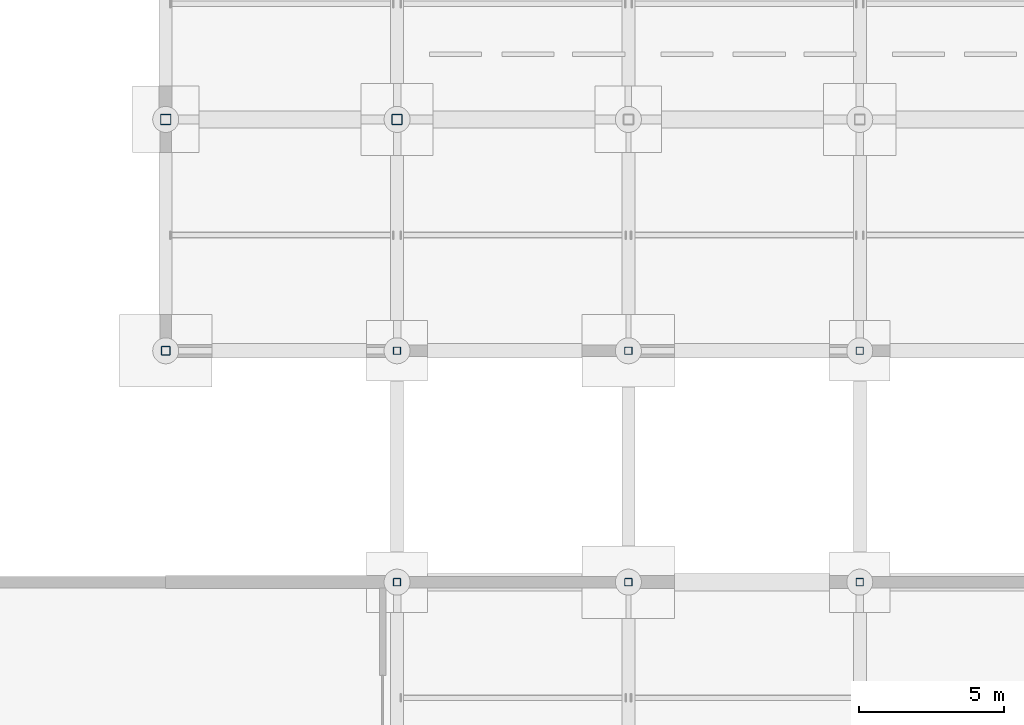
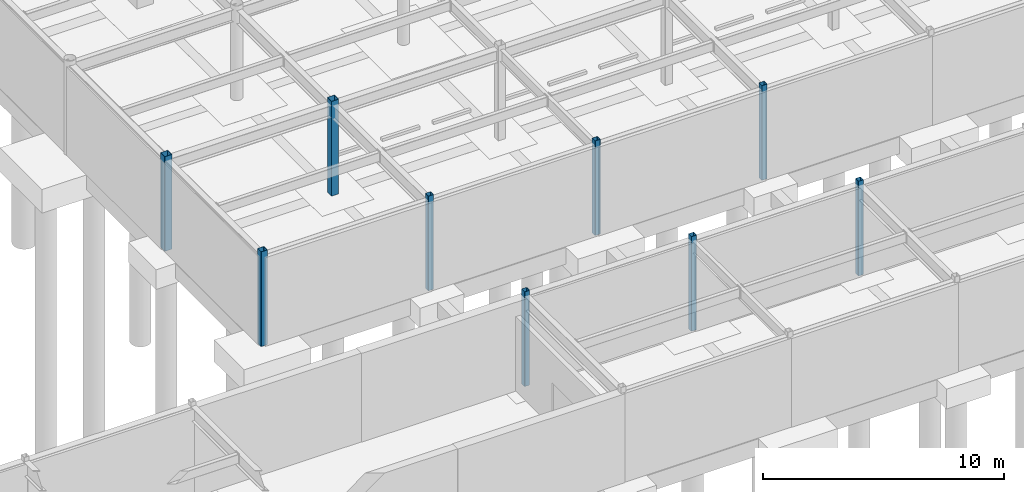
# One storey, part 26 of 105: 9 columns.
"""IFC4 building model written with IfcOpenShell, lengths in metres."""

from ifc_helpers import new_model, si_unit, direction, frame, origin, origin_2d, place, context, subcontext, project, spatial, hollow_rectangle, extrude, material, material_profile, profile_set, type_object, element, save


model = new_model("IFC4")

# Units and contexts
model_context = context("Model", 3, precision=1e-05, world=origin(), true_north=direction((0.0, 1.0)))
body_context = subcontext(model_context, "Body", "Model", "MODEL_VIEW")
ifc_project = project(units=[si_unit("LENGTHUNIT", "METRE"), si_unit("AREAUNIT", "SQUARE_METRE"), si_unit("VOLUMEUNIT", "CUBIC_METRE"), si_unit("PLANEANGLEUNIT", "RADIAN"), si_unit("MASSUNIT", "GRAM", prefix="KILO")], contexts=[model_context])

# Site, building, storey
site_placement = place(None, origin())
site = spatial("IfcSite", under=ifc_project, at=site_placement, CompositionType="ELEMENT")
building_placement = place(site_placement, origin())
building = spatial("IfcBuilding", under=site, at=building_placement, Name="Solmirada Galleria", CompositionType="ELEMENT")
storey_placement = place(building_placement, frame((0.0, 0.0, -4.800048828125)))
storey = spatial("IfcBuildingStorey", under=building, at=storey_placement, Name="B1", CompositionType="ELEMENT", Elevation=-4.800048828125)

# Columns
ifc_material = material(Name="Steel S355 / ASTM A500 Grade C", Category="steel")
ifc_material_profile_1 = material_profile(ifc_material, hollow_rectangle(XDim=0.25390625, YDim=0.25390625, WallThickness=0.0087890625, InnerFilletRadius=0.0087890625, OuterFilletRadius=0.017822265625, at=origin_2d()), Name="HSS10X10X3/8")
ifc_profile_set_1 = profile_set([ifc_material_profile_1], Name="Steel S355 / ASTM A500 Grade C")
column_type_1 = type_object("IfcColumnType", Name="COL-HSS10", PredefinedType="COLUMN", material=ifc_profile_set_1)
for number, where, z_axis, x_axis, name in (
    (1, (48.0, 64.0, 0.0), (0.0, 0.0, 1.0), (1.0, 0.0, 0.0), "Structural column B1-0104"),
    (2, (48.0, 72.0, 0.0), (0.0, 0.0, 1.0), (1.0, 0.0, 0.0), "Structural column B1-0106"),
    (3, (56.0, 64.0, 0.0), (0.0, 0.0, 1.0), (1.0, 0.0, 0.0), "Structural column B1-0171"),
    (4, (56.0, 72.0, 0.0), (0.0, 0.0, 1.0), (1.0, 0.0, 0.0), "Structural column B1-0173"),
    (5, (64.0, 64.0, 0.0), (0.0, 0.0, 1.0), (1.0, 0.0, 0.0), "Structural column B1-0235"),
    (6, (64.0, 72.0, 0.0), (0.0, 0.0, 1.0), (1.0, 0.0, 0.0), "Structural column B1-0237"),
):
    element("IfcColumn", number, at=place(storey_placement, frame(where, z_axis=z_axis, x_axis=x_axis)), inside=storey, type_object=column_type_1, Name=name, PredefinedType="COLUMN", context=body_context, shape_type="SweptSolid", body=[
        extrude(hollow_rectangle(XDim=0.25390625, YDim=0.25390625, WallThickness=0.0087890625, InnerFilletRadius=0.0087890625, OuterFilletRadius=0.017822265625, at=origin_2d()), origin(), (0.0, 0.0, 1.0), 4.800048828125),
    ])
ifc_material_profile_2 = material_profile(ifc_material, hollow_rectangle(XDim=0.304931640625, YDim=0.304931640625, WallThickness=0.01171875, InnerFilletRadius=0.01171875, OuterFilletRadius=0.023681640625, at=origin_2d()), Name="HSS12X12X1/2")
ifc_profile_set_2 = profile_set([ifc_material_profile_2], Name="Steel S355 / ASTM A500 Grade C")
column_type_2 = type_object("IfcColumnType", Name="COL-HSS12", PredefinedType="COLUMN", material=ifc_profile_set_2)
column_placement = place(storey_placement, frame((40.0, 72.0, 0.0), z_axis=(0.0, 0.0, 1.0), x_axis=(1.0, 0.0, 0.0)))
element("IfcColumn", 7, at=column_placement, inside=storey, type_object=column_type_2, Name="Structural column B1-0039", PredefinedType="COLUMN", context=body_context, shape_type="SweptSolid", body=[
    extrude(hollow_rectangle(XDim=0.304931640625, YDim=0.304931640625, WallThickness=0.01171875, InnerFilletRadius=0.01171875, OuterFilletRadius=0.023681640625, at=origin_2d()), origin(), (0.0, 0.0, 1.0), 4.800048828125),
])
ifc_material_profile_3 = material_profile(ifc_material, hollow_rectangle(XDim=0.35595703125, YDim=0.35595703125, WallThickness=0.01171875, InnerFilletRadius=0.01171875, OuterFilletRadius=0.023681640625, at=origin_2d()), Name="HSS14X14X1/2")
ifc_profile_set_3 = profile_set([ifc_material_profile_3], Name="Steel S355 / ASTM A500 Grade C")
column_type_3 = type_object("IfcColumnType", Name="COL-HSS14", PredefinedType="COLUMN", material=ifc_profile_set_3)
for number, where, z_axis, x_axis, name in (
    (8, (40.0, 80.0, 0.0), (0.0, 0.0, 1.0), (1.0, 0.0, 0.0), "Structural column B1-0041"),
    (9, (48.0, 80.0, 0.0), (0.0, 0.0, 1.0), (1.0, 0.0, 0.0), "Structural column B1-0108"),
):
    element("IfcColumn", number, at=place(storey_placement, frame(where, z_axis=z_axis, x_axis=x_axis)), inside=storey, type_object=column_type_3, Name=name, PredefinedType="COLUMN", context=body_context, shape_type="SweptSolid", body=[
        extrude(hollow_rectangle(XDim=0.35595703125, YDim=0.35595703125, WallThickness=0.01171875, InnerFilletRadius=0.01171875, OuterFilletRadius=0.023681640625, at=origin_2d()), origin(), (0.0, 0.0, 1.0), 4.800048828125),
    ])

save(model, "model.ifc")
